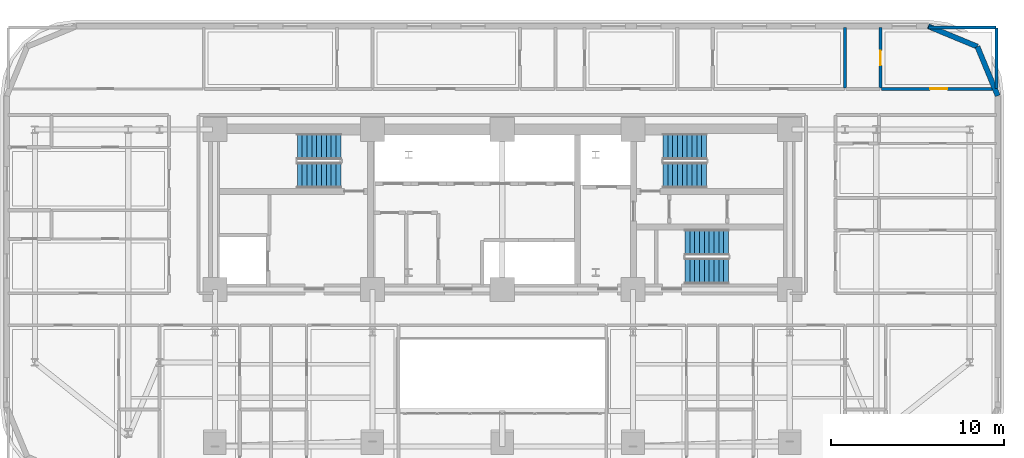
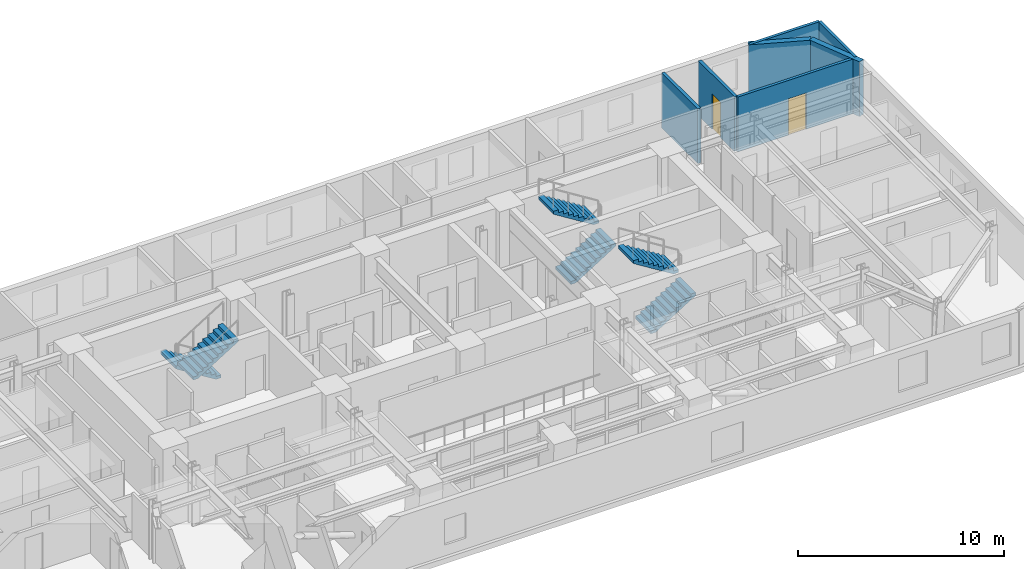
# One storey, part 13 of 16: 7 walls, 6 stair flights, 2 doors, 2 openings, 3 elements without a shape of their own.
"""IFC4 building model written with IfcOpenShell, lengths in metres."""

from ifc_helpers import new_model, si_unit, direction, frame, frame_2d, origin, place, context, subcontext, project, spatial, polyline, rectangle, outline, extrude, material, layer, layer_set, type_object, element, fill, aggregate, save


model = new_model("IFC4")

# Units and contexts
model_context = context("Model", 3, precision=1e-05, world=origin(), true_north=direction((0.0, 1.0)))
body_context = subcontext(model_context, "Body", "Model", "MODEL_VIEW")
ifc_project = project(units=[si_unit("LENGTHUNIT", "METRE"), si_unit("AREAUNIT", "SQUARE_METRE"), si_unit("VOLUMEUNIT", "CUBIC_METRE"), si_unit("PLANEANGLEUNIT", "RADIAN"), si_unit("MASSUNIT", "GRAM", prefix="KILO")], contexts=[model_context])

# Site, building, storey
site_placement = place(None, origin())
site = spatial("IfcSite", under=ifc_project, at=site_placement, CompositionType="ELEMENT")
building_placement = place(site_placement, origin())
building = spatial("IfcBuilding", under=site, at=building_placement, Name="Zarnavel Station Tower", CompositionType="ELEMENT")
storey_placement = place(building_placement, frame((0.0, 0.0, 79.300048828125)))
storey = spatial("IfcBuildingStorey", under=building, at=storey_placement, Name="L21", CompositionType="ELEMENT", Elevation=79.300048828125)

# Walls
ifc_material_1 = material(Name="Precast concrete C45/55 (Dark Basalt Finish)", Category="masonry")
ifc_layer_1 = layer(ifc_material_1, 0.300048828125)
ifc_layer_set_1 = layer_set([ifc_layer_1], Name="EW_BASALT_300")
wall_type_1 = type_object("IfcWallType", Name="EW_BASALT_300", PredefinedType="SOLIDWALL", material=ifc_layer_set_1)
wall_1_placement = place(storey_placement, frame((56.24267578125, 41.842529296875, 0.0), z_axis=(0.0, 0.0, 1.0), x_axis=(0.382636798336, -0.92389884758, 0.0)))
element("IfcWall", 1, at=wall_1_placement, inside=storey, type_object=wall_type_1, Name="L21 Exterior Basalt Masonry Frame Wall 04", PredefinedType="SOLIDWALL", context=body_context, shape_type="SweptSolid", body=[
    extrude(rectangle(XDim=3.07666015625, YDim=0.300048828125, at=frame_2d((1.538330078125, 0.0))), origin(), (0.0, 0.0, 1.0), 3.239990234375),
])
wall_2_placement = place(storey_placement, frame((53.39990234375, 43.02001953125, 0.0), z_axis=(0.0, 0.0, 1.0), x_axis=(0.923882414032, -0.382676475685, 0.0)))
element("IfcWall", 2, at=wall_2_placement, inside=storey, type_object=wall_type_1, Name="L21 Exterior Basalt Masonry Frame Wall 05", PredefinedType="SOLIDWALL", context=body_context, shape_type="SweptSolid", body=[
    extrude(rectangle(XDim=3.076904296875, YDim=0.300048828125, at=frame_2d((1.53857421875, 0.0))), origin(), (0.0, 0.0, 1.0), 3.239990234375),
])

# Wall, opening, door
ifc_material_2 = material(Name="Gypsum Twin-Stud Acoustic Fire Partition", Category="concrete")
ifc_layer_2 = layer(ifc_material_2, 0.159912109375)
ifc_layer_set_2 = layer_set([ifc_layer_2], Name="PT_DEMISE_160")
wall_type_2 = type_object("IfcWallType", Name="PT_DEMISE_160", PredefinedType="PARTITIONING", material=ifc_layer_set_2)
wall_3_placement = place(storey_placement, frame((50.68994140625, 39.39990234375, 0.0), z_axis=(0.0, 0.0, 1.0), x_axis=(1.0, 0.0, 0.0)))
wall_3 = element("IfcWall", 3, at=wall_3_placement, inside=storey, type_object=wall_type_2, Name="L21 Partition COR-N-HN5R", PredefinedType="PARTITIONING", context=body_context, shape_type="SweptSolid", body=[
    extrude(rectangle(XDim=6.650146484375, YDim=0.159912109375, at=frame_2d((3.3251953125, 0.0))), origin(), (0.0, 0.0, 1.0), 3.239990234375),
])
opening_1_placement = place(wall_3_placement, frame((2.824951171875, 0.0, 0.0)))
opening_1 = element("IfcOpeningElement", 4, at=opening_1_placement, cuts=wall_3, Name="Opening FD02", PredefinedType="OPENING", context=body_context, shape_type="SweptSolid", body=[
    extrude(rectangle(XDim=1.0, YDim=2.14990234375, at=frame_2d((0.5, 1.074951171875))), frame((0.0, 0.08984375, 0.0), z_axis=(0.0, -1.0, 0.0), x_axis=(1.0, 0.0, 0.0)), (0.0, 0.0, 1.0), 0.179931640625),
])
ifc_material_3 = material(Name="Painted Galvanised Steel and Hardwood Leaf", Category="steel")
door_type_1 = type_object("IfcDoorType", Name="ID_ENTRY_1000", OperationType="NOTDEFINED", PredefinedType="DOOR", material=ifc_material_3)
door_1_placement = place(opening_1_placement, origin())
door_1 = element("IfcDoor", 5, at=door_1_placement, inside=storey, type_object=door_type_1, Name="L21 Door COR-N-HN5R", OperationType="SINGLE_SWING_RIGHT", OverallHeight=2.14990234375, OverallWidth=1.0, PredefinedType="DOOR", context=body_context, shape_type="SweptSolid", body=[
    extrude(rectangle(XDim=1.0, YDim=2.14990234375, at=frame_2d((0.5, 1.074951171875))), frame((0.0, 0.02490234375, 0.0), z_axis=(0.0, -1.0, 0.0), x_axis=(1.0, 0.0, 0.0)), (0.0, 0.0, 1.0), 0.050048828125),
])
fill(opening_1, door_1)

# Walls
wall_4_placement = place(storey_placement, frame((53.429931640625, 42.93994140625, 0.0), z_axis=(0.0, 0.0, 1.0), x_axis=(1.0, 0.0, 0.0)))
element("IfcWall", 6, at=wall_4_placement, inside=storey, type_object=wall_type_2, Name="L21 Enclosure Wall HN5R", PredefinedType="PARTITIONING", context=body_context, shape_type="SweptSolid", body=[
    extrude(rectangle(XDim=3.880126953125, YDim=0.159912109375, at=frame_2d((1.93994140625, 0.0))), origin(), (0.0, 0.0, 1.0), 3.239990234375),
])
wall_5_placement = place(storey_placement, frame((57.340087890625, 39.429931640625, 0.0), z_axis=(0.0, 0.0, 1.0), x_axis=(0.0, 1.0, 0.0)))
element("IfcWall", 7, at=wall_5_placement, inside=storey, type_object=wall_type_2, Name="L21 Enclosure Wall HN5R", PredefinedType="PARTITIONING", context=body_context, shape_type="SweptSolid", body=[
    extrude(rectangle(XDim=3.47998046875, YDim=0.159912109375, at=frame_2d((1.739990234375, 0.0))), origin(), (0.0, 0.0, 1.0), 3.239990234375),
])
ifc_material_4 = material(Name="Moisture-Resistant Plumbing Chase Wall", Category="concrete")
ifc_layer_3 = layer(ifc_material_4, 0.179931640625)
ifc_layer_set_3 = layer_set([ifc_layer_3], Name="PW_PLUMB_180")
wall_type_3 = type_object("IfcWallType", Name="PW_PLUMB_180", PredefinedType="PLUMBINGWALL", material=ifc_layer_set_3)
wall_6_placement = place(storey_placement, frame((48.60009765625, 39.43994140625, 0.0), z_axis=(0.0, 0.0, 1.0), x_axis=(0.0, 1.0, 0.0)))
element("IfcWall", 8, at=wall_6_placement, inside=storey, type_object=wall_type_3, Name="L21 Partition HN4R-HN5B", PredefinedType="PLUMBINGWALL", context=body_context, shape_type="SweptSolid", body=[
    extrude(rectangle(XDim=3.5, YDim=0.179931640625, at=frame_2d((1.75, 0.0))), origin(), (0.0, 0.0, 1.0), 3.239990234375),
])

# Wall, opening, door
wall_7_placement = place(storey_placement, frame((50.64990234375, 39.43994140625, 0.0), z_axis=(0.0, 0.0, 1.0), x_axis=(0.0, 1.0, 0.0)))
wall_7 = element("IfcWall", 9, at=wall_7_placement, inside=storey, type_object=wall_type_3, Name="L21 Partition HN5R-HN5B", PredefinedType="PLUMBINGWALL", context=body_context, shape_type="SweptSolid", body=[
    extrude(rectangle(XDim=3.5, YDim=0.179931640625, at=frame_2d((1.75, 0.0))), origin(), (0.0, 0.0, 1.0), 3.239990234375),
])
opening_2_placement = place(wall_7_placement, frame((1.324951171875, 0.0, 0.0)))
opening_2 = element("IfcOpeningElement", 10, at=opening_2_placement, cuts=wall_7, Name="Opening ID02", PredefinedType="OPENING", context=body_context, shape_type="SweptSolid", body=[
    extrude(rectangle(XDim=0.85009765625, YDim=2.10009765625, at=frame_2d((0.425048828125, 1.050048828125))), frame((0.0, 0.099853515625, 0.0), z_axis=(0.0, -1.0, 0.0), x_axis=(1.0, 0.0, 0.0)), (0.0, 0.0, 1.0), 0.199951171875),
])
ifc_material_5 = material(Name="Painted Galvanised Steel and Hardwood Leaf", Category="steel")
door_type_2 = type_object("IfcDoorType", Name="ID_BATH_850", OperationType="NOTDEFINED", PredefinedType="DOOR", material=ifc_material_5)
door_2_placement = place(opening_2_placement, origin())
door_2 = element("IfcDoor", 11, at=door_2_placement, inside=storey, type_object=door_type_2, Name="L21 Door HN5R-HN5B", OperationType="SINGLE_SWING_LEFT", OverallHeight=2.10009765625, OverallWidth=0.85009765625, PredefinedType="DOOR", context=body_context, shape_type="SweptSolid", body=[
    extrude(rectangle(XDim=0.85009765625, YDim=2.10009765625, at=frame_2d((0.425048828125, 1.050048828125))), frame((0.0, 0.02490234375, 0.0), z_axis=(0.0, -1.0, 0.0), x_axis=(1.0, 0.0, 0.0)), (0.0, 0.0, 1.0), 0.050048828125),
])
fill(opening_2, door_2)

# Stair, stair flights
ifc_material_6 = material(Name="Concrete C45/55", Category="concrete")
stair_type = type_object("IfcStairType", Name="ST_CORE_150", PredefinedType="HALF_TURN_STAIR", material=ifc_material_6)
stair_1_placement = place(storey_placement, origin())
stair_1 = element("IfcStair", 12, at=stair_1_placement, inside=storey, type_object=stair_type, Name="L21 Core Exit Stair ST1", PredefinedType="HALF_TURN_STAIR")
ifc_material_7 = material(Name="Concrete C45/55", Category="concrete")
ifc_layer_4 = layer(ifc_material_7, 0.179931640625)
ifc_layer_set_4 = layer_set([ifc_layer_4], Name="ST_CORE_150_FLT")
stair_flight_type = type_object("IfcStairFlightType", Name="ST_CORE_150_FLT", PredefinedType="STRAIGHT", material=ifc_layer_set_4)
stair_flight_1_placement = place(storey_placement, frame((19.47998046875, 36.070068359375, 0.0), z_axis=(0.0, 0.0, 1.0), x_axis=(-1.0, 0.0, 0.0)))
stair_flight_1 = element("IfcStairFlight", 13, at=stair_flight_1_placement, type_object=stair_flight_type, Name="ST1 flight 1", NumberOfRisers=10, NumberOfTreads=9, PredefinedType="STRAIGHT", RiserHeight=0.175, TreadLength=0.28, context=body_context, shape_type="SweptSolid", body=[
    extrude(outline(polyline([(0.0, 0.0), (0.0, 0.175048828125), (0.280029296875, 0.175048828125), (0.280029296875, 0.35009765625), (0.56005859375, 0.35009765625), (0.56005859375, 0.52490234375), (0.840087890625, 0.52490234375), (0.840087890625, 0.699951171875), (1.1201171875, 0.699951171875), (1.1201171875, 0.875), (1.39990234375, 0.875), (1.39990234375, 1.050048828125), (1.679931640625, 1.050048828125), (1.679931640625, 1.22509765625), (1.9599609375, 1.22509765625), (1.9599609375, 1.39990234375), (2.239990234375, 1.39990234375), (2.239990234375, 1.574951171875), (2.52001953125, 1.574951171875), (2.52001953125, 1.75), (2.52001953125, 1.398193359375), (0.28271484375, 0.0), (0.0, 0.0)])), frame((0.0, 0.75, 0.0), z_axis=(0.0, -1.0, 0.0), x_axis=(1.0, 0.0, 0.0)), (0.0, 0.0, 1.0), 1.5),
])
stair_flight_2_placement = place(storey_placement, frame((16.9599609375, 34.409912109375, 1.75), z_axis=(0.0, 0.0, 1.0), x_axis=(1.0, 0.0, 0.0)))
stair_flight_2 = element("IfcStairFlight", 14, at=stair_flight_2_placement, type_object=stair_flight_type, Name="ST1 flight 2", NumberOfRisers=10, NumberOfTreads=9, PredefinedType="STRAIGHT", RiserHeight=0.175, TreadLength=0.28, context=body_context, shape_type="SweptSolid", body=[
    extrude(outline(polyline([(0.0, 0.0), (0.0, 0.175048828125), (0.280029296875, 0.175048828125), (0.280029296875, 0.35009765625), (0.56005859375, 0.35009765625), (0.56005859375, 0.52490234375), (0.840087890625, 0.52490234375), (0.840087890625, 0.699951171875), (1.1201171875, 0.699951171875), (1.1201171875, 0.875), (1.39990234375, 0.875), (1.39990234375, 1.050048828125), (1.679931640625, 1.050048828125), (1.679931640625, 1.22509765625), (1.9599609375, 1.22509765625), (1.9599609375, 1.39990234375), (2.239990234375, 1.39990234375), (2.239990234375, 1.574951171875), (2.52001953125, 1.574951171875), (2.52001953125, 1.75), (2.52001953125, 1.398193359375), (0.28271484375, 0.0), (0.0, 0.0)])), frame((0.0, 0.75, 0.0), z_axis=(0.0, -1.0, 0.0), x_axis=(1.0, 0.0, 0.0)), (0.0, 0.0, 1.0), 1.5),
])
aggregate(stair_1, [stair_flight_1, stair_flight_2])

stair_2_placement = place(storey_placement, origin())
stair_2 = element("IfcStair", 15, at=stair_2_placement, inside=storey, type_object=stair_type, Name="L21 Core Exit Stair ST2", PredefinedType="HALF_TURN_STAIR")
stair_flight_3_placement = place(storey_placement, frame((38.080078125, 34.409912109375, 0.0), z_axis=(0.0, 0.0, 1.0), x_axis=(1.0, 0.0, 0.0)))
stair_flight_3 = element("IfcStairFlight", 16, at=stair_flight_3_placement, type_object=stair_flight_type, Name="ST2 flight 1", NumberOfRisers=10, NumberOfTreads=9, PredefinedType="STRAIGHT", RiserHeight=0.175, TreadLength=0.28, context=body_context, shape_type="SweptSolid", body=[
    extrude(outline(polyline([(0.0, 0.0), (0.0, 0.175048828125), (0.280029296875, 0.175048828125), (0.280029296875, 0.35009765625), (0.56005859375, 0.35009765625), (0.56005859375, 0.52490234375), (0.840087890625, 0.52490234375), (0.840087890625, 0.699951171875), (1.1201171875, 0.699951171875), (1.1201171875, 0.875), (1.39990234375, 0.875), (1.39990234375, 1.050048828125), (1.679931640625, 1.050048828125), (1.679931640625, 1.22509765625), (1.9599609375, 1.22509765625), (1.9599609375, 1.39990234375), (2.239990234375, 1.39990234375), (2.239990234375, 1.574951171875), (2.52001953125, 1.574951171875), (2.52001953125, 1.75), (2.52001953125, 1.398193359375), (0.28271484375, 0.0), (0.0, 0.0)])), frame((0.0, 0.75, 0.0), z_axis=(0.0, -1.0, 0.0), x_axis=(1.0, 0.0, 0.0)), (0.0, 0.0, 1.0), 1.5),
])
stair_flight_4_placement = place(storey_placement, frame((40.60009765625, 36.070068359375, 1.75), z_axis=(0.0, 0.0, 1.0), x_axis=(-1.0, 0.0, 0.0)))
stair_flight_4 = element("IfcStairFlight", 17, at=stair_flight_4_placement, type_object=stair_flight_type, Name="ST2 flight 2", NumberOfRisers=10, NumberOfTreads=9, PredefinedType="STRAIGHT", RiserHeight=0.175, TreadLength=0.28, context=body_context, shape_type="SweptSolid", body=[
    extrude(outline(polyline([(0.0, 0.0), (0.0, 0.175048828125), (0.280029296875, 0.175048828125), (0.280029296875, 0.35009765625), (0.56005859375, 0.35009765625), (0.56005859375, 0.52490234375), (0.840087890625, 0.52490234375), (0.840087890625, 0.699951171875), (1.1201171875, 0.699951171875), (1.1201171875, 0.875), (1.39990234375, 0.875), (1.39990234375, 1.050048828125), (1.679931640625, 1.050048828125), (1.679931640625, 1.22509765625), (1.9599609375, 1.22509765625), (1.9599609375, 1.39990234375), (2.239990234375, 1.39990234375), (2.239990234375, 1.574951171875), (2.52001953125, 1.574951171875), (2.52001953125, 1.75), (2.52001953125, 1.398193359375), (0.28271484375, 0.0), (0.0, 0.0)])), frame((0.0, 0.75, 0.0), z_axis=(0.0, -1.0, 0.0), x_axis=(1.0, 0.0, 0.0)), (0.0, 0.0, 1.0), 1.5),
])
aggregate(stair_2, [stair_flight_3, stair_flight_4])

stair_3_placement = place(storey_placement, origin())
stair_3 = element("IfcStair", 18, at=stair_3_placement, inside=storey, type_object=stair_type, Name="L21 Core Exit Stair ST3", PredefinedType="HALF_TURN_STAIR")
stair_flight_5_placement = place(storey_placement, frame((39.35009765625, 28.8701171875, 0.0), z_axis=(0.0, 0.0, 1.0), x_axis=(1.0, 0.0, 0.0)))
stair_flight_5 = element("IfcStairFlight", 19, at=stair_flight_5_placement, type_object=stair_flight_type, Name="ST3 flight 1", NumberOfRisers=10, NumberOfTreads=9, PredefinedType="STRAIGHT", RiserHeight=0.175, TreadLength=0.28, context=body_context, shape_type="SweptSolid", body=[
    extrude(outline(polyline([(0.0, 0.0), (0.0, 0.175048828125), (0.280029296875, 0.175048828125), (0.280029296875, 0.35009765625), (0.56005859375, 0.35009765625), (0.56005859375, 0.52490234375), (0.840087890625, 0.52490234375), (0.840087890625, 0.699951171875), (1.1201171875, 0.699951171875), (1.1201171875, 0.875), (1.39990234375, 0.875), (1.39990234375, 1.050048828125), (1.679931640625, 1.050048828125), (1.679931640625, 1.22509765625), (1.9599609375, 1.22509765625), (1.9599609375, 1.39990234375), (2.239990234375, 1.39990234375), (2.239990234375, 1.574951171875), (2.52001953125, 1.574951171875), (2.52001953125, 1.75), (2.52001953125, 1.398193359375), (0.28271484375, 0.0), (0.0, 0.0)])), frame((0.0, 0.75, 0.0), z_axis=(0.0, -1.0, 0.0), x_axis=(1.0, 0.0, 0.0)), (0.0, 0.0, 1.0), 1.5),
])
stair_flight_6_placement = place(storey_placement, frame((41.8701171875, 30.530029296875, 1.75), z_axis=(0.0, 0.0, 1.0), x_axis=(-1.0, 0.0, 0.0)))
stair_flight_6 = element("IfcStairFlight", 20, at=stair_flight_6_placement, type_object=stair_flight_type, Name="ST3 flight 2", NumberOfRisers=10, NumberOfTreads=9, PredefinedType="STRAIGHT", RiserHeight=0.175, TreadLength=0.28, context=body_context, shape_type="SweptSolid", body=[
    extrude(outline(polyline([(0.0, 0.0), (0.0, 0.175048828125), (0.280029296875, 0.175048828125), (0.280029296875, 0.35009765625), (0.56005859375, 0.35009765625), (0.56005859375, 0.52490234375), (0.840087890625, 0.52490234375), (0.840087890625, 0.699951171875), (1.1201171875, 0.699951171875), (1.1201171875, 0.875), (1.39990234375, 0.875), (1.39990234375, 1.050048828125), (1.679931640625, 1.050048828125), (1.679931640625, 1.22509765625), (1.9599609375, 1.22509765625), (1.9599609375, 1.39990234375), (2.239990234375, 1.39990234375), (2.239990234375, 1.574951171875), (2.52001953125, 1.574951171875), (2.52001953125, 1.75), (2.52001953125, 1.398193359375), (0.28271484375, 0.0), (0.0, 0.0)])), frame((0.0, 0.75, 0.0), z_axis=(0.0, -1.0, 0.0), x_axis=(1.0, 0.0, 0.0)), (0.0, 0.0, 1.0), 1.5),
])
aggregate(stair_3, [stair_flight_5, stair_flight_6])

save(model, "model.ifc")
